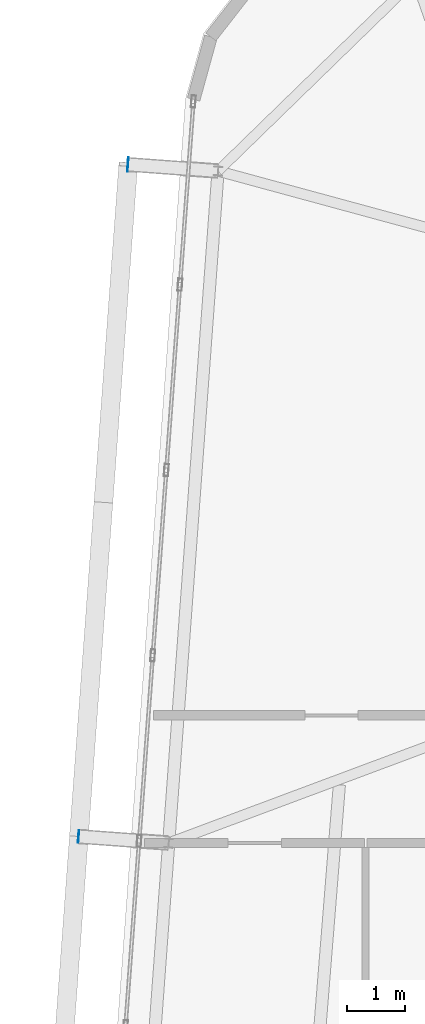
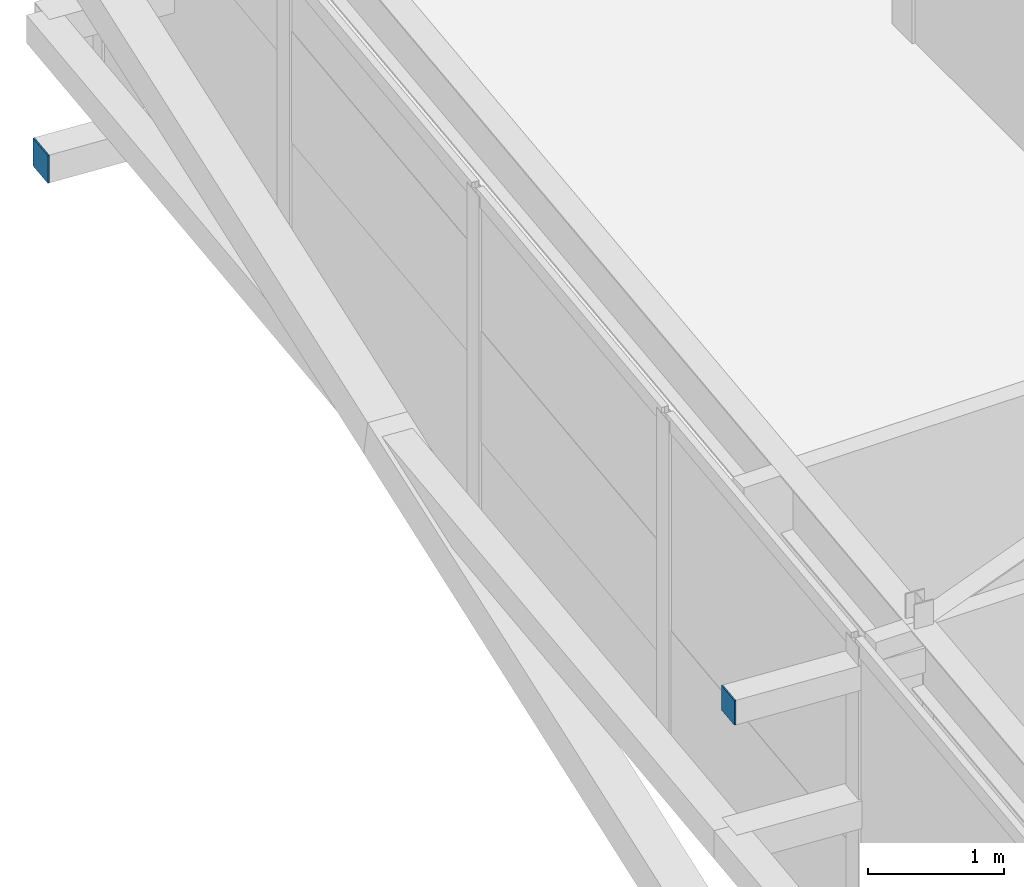
# One storey, part 33 of 42: 2 plates.
"""IFC4 building model written with IfcOpenShell, lengths in metres."""

from ifc_helpers import new_model, si_unit, direction, frame, origin, origin_2d, place, context, subcontext, project, spatial, rectangle, extrude, source, transform, mapped, material, layer, layer_set, type_object, element, save


model = new_model("IFC4")

# Units and contexts
model_context = context("Model", 3, precision=1e-05, world=origin(), true_north=direction((0.0, 1.0)))
body_context = subcontext(model_context, "Body", "Model", "MODEL_VIEW")
ifc_project = project(units=[si_unit("LENGTHUNIT", "METRE"), si_unit("AREAUNIT", "SQUARE_METRE"), si_unit("VOLUMEUNIT", "CUBIC_METRE"), si_unit("PLANEANGLEUNIT", "RADIAN"), si_unit("MASSUNIT", "GRAM", prefix="KILO")], contexts=[model_context])

# Site, building, storey
site_placement = place(None, origin())
site = spatial("IfcSite", under=ifc_project, at=site_placement, CompositionType="ELEMENT")
building_placement = place(site_placement, origin())
building = spatial("IfcBuilding", under=site, at=building_placement, Name="Taldren Reach Tower", CompositionType="ELEMENT")
storey_placement = place(building_placement, frame((0.0, 0.0, 214.550048828125)))
storey = spatial("IfcBuildingStorey", under=building, at=storey_placement, Name="L65", CompositionType="ELEMENT", Elevation=214.550048828125)

# Plates
ifc_material_1 = material(Name="Steel Gr 350 (C350L0)", Category="steel")
ifc_layer_1 = layer(ifc_material_1, 0.011962890625)
ifc_layer_set_1 = layer_set([ifc_layer_1], Name="Steel Gr 350 (C350L0)")
plate_type_1 = type_object("IfcPlateType", Name="PL-CAP-250", PredefinedType="SHEET", material=ifc_layer_set_1)
shared_shape_1 = source(origin(), body_context, "Body", "SweptSolid", [
    extrude(rectangle(XDim=0.011962890625, YDim=0.25, at=origin_2d()), origin(), (0.0, 0.0, 1.0), 0.25),
])
plate_1_placement = place(storey_placement, frame((12.406494140625, 33.483154296875, 0.094970703125), z_axis=(0.0, 0.0, 1.0), x_axis=(0.997314477224, -0.073238197128, 0.0)))
element("IfcPlate", 1, at=plate_1_placement, inside=storey, type_object=plate_type_1, Name="Tie strut end cap plate B5-W3 L65", PredefinedType="SHEET", context=body_context, shape_type="MappedRepresentation", body=[
    mapped(shared_shape_1, transform((0.0, 0.0, 0.0), scale=1.0)),
])
ifc_material_2 = material(Name="Steel Gr 450 (C450L0)", Category="steel")
ifc_layer_2 = layer(ifc_material_2, 0.011962890625)
ifc_layer_set_2 = layer_set([ifc_layer_2], Name="Steel Gr 450 (C450L0)")
plate_type_2 = type_object("IfcPlateType", Name="PL-CAP-220", PredefinedType="SHEET", material=ifc_layer_set_2)
shared_shape_2 = source(origin(), body_context, "Body", "SweptSolid", [
    extrude(rectangle(XDim=0.011962890625, YDim=0.219970703125, at=origin_2d()), origin(), (0.0, 0.0, 1.0), 0.219970703125),
])
plate_2_placement = place(storey_placement, frame((11.556884765625, 21.914306640625, 2.5400390625), z_axis=(0.0, 0.0, 1.0), x_axis=(0.997314477224, -0.073238197128, 0.0)))
element("IfcPlate", 2, at=plate_2_placement, inside=storey, type_object=plate_type_2, Name="Tie strut end cap plate B5-W2 L65", PredefinedType="SHEET", context=body_context, shape_type="MappedRepresentation", body=[
    mapped(shared_shape_2, transform((0.0, 0.0, 0.0), scale=1.0)),
])

save(model, "model.ifc")
